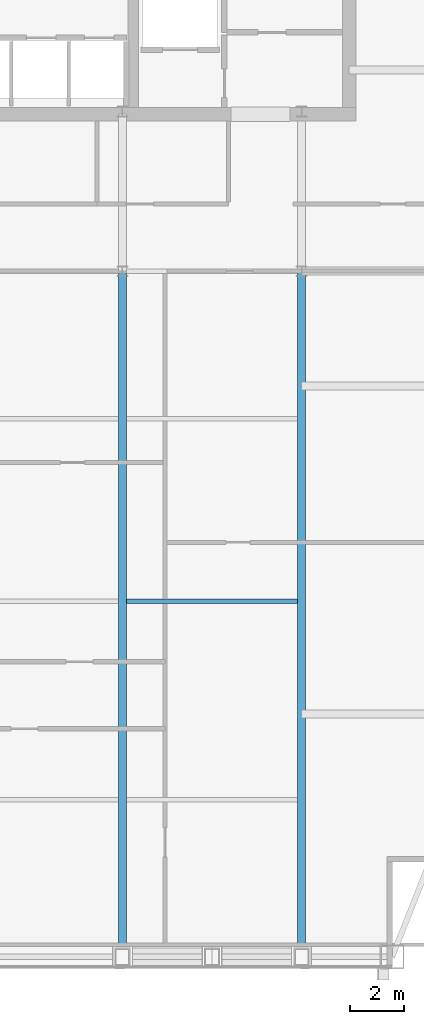
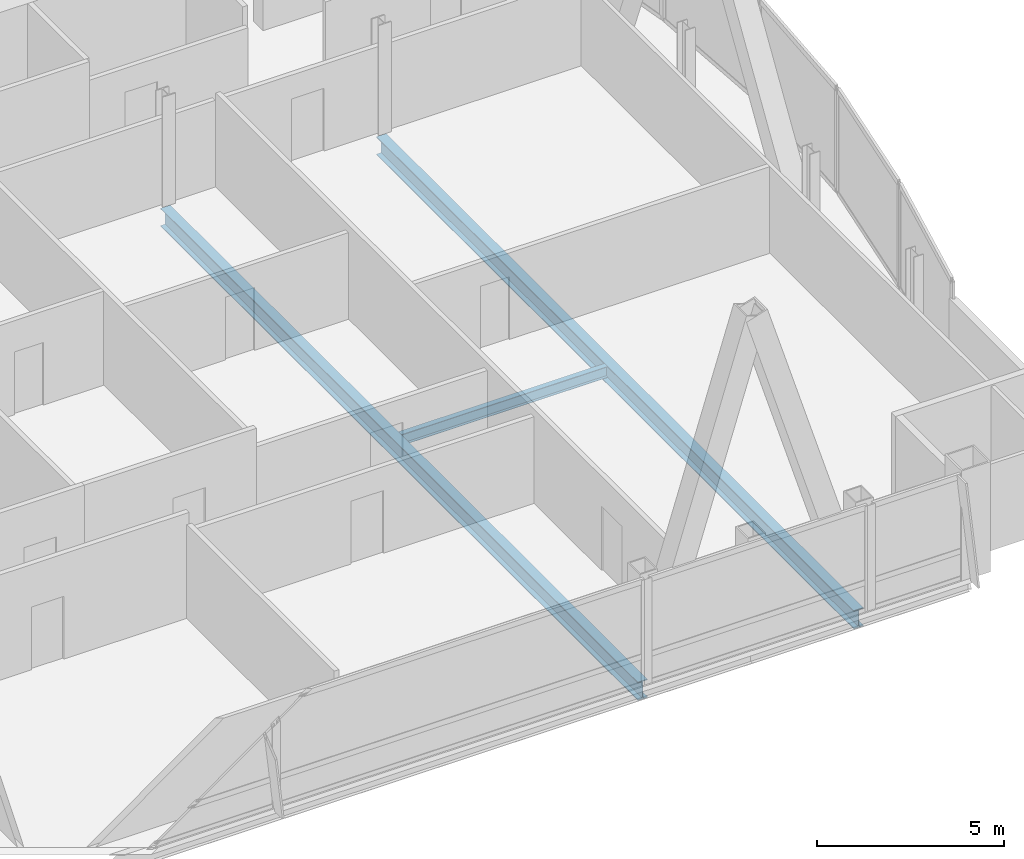
# One storey, part 16 of 31: 3 beams.
"""IFC4 building model written with IfcOpenShell, lengths in metres."""

from ifc_helpers import new_model, si_unit, direction, frame, origin, origin_2d, place, context, subcontext, project, spatial, i_section, extrude, material, material_profile, profile_set, type_object, element, save


model = new_model("IFC4")

# Units and contexts
model_context = context("Model", 3, precision=1e-05, world=origin(), true_north=direction((0.0, 1.0)))
body_context = subcontext(model_context, "Body", "Model", "MODEL_VIEW")
ifc_project = project(units=[si_unit("LENGTHUNIT", "METRE"), si_unit("AREAUNIT", "SQUARE_METRE"), si_unit("VOLUMEUNIT", "CUBIC_METRE"), si_unit("PLANEANGLEUNIT", "RADIAN"), si_unit("MASSUNIT", "GRAM", prefix="KILO")], contexts=[model_context])

# Site, building, storey
site_placement = place(None, origin())
site = spatial("IfcSite", under=ifc_project, at=site_placement, CompositionType="ELEMENT")
building_placement = place(site_placement, origin())
building = spatial("IfcBuilding", under=site, at=building_placement, Name="Khoronbel Lancet Exchange", CompositionType="ELEMENT")
storey_placement = place(building_placement, frame((0.0, 0.0, 325.39990234375)))
storey = spatial("IfcBuildingStorey", under=building, at=storey_placement, Name="L84", CompositionType="ELEMENT", Elevation=325.39990234375)

# Beams
ifc_material = material(Name="Steel S355", Category="steel")
ifc_material_profile_1 = material_profile(ifc_material, i_section(OverallWidth=0.300048828125, OverallDepth=0.60009765625, WebThickness=0.015380859375, FlangeThickness=0.030029296875, at=origin_2d()), Name="HEB 600")
ifc_profile_set_1 = profile_set([ifc_material_profile_1], Name="Steel S355")
beam_type_1 = type_object("IfcBeamType", Name="BM-BG5", PredefinedType="BEAM", material=ifc_profile_set_1)
for number, where, z_axis, x_axis, name in (
    (1, (48.0, 10.14990234375, -0.4599609375), (0.0, 1.0, 0.0), (-1.0, 0.0, 0.0), "Level L84 south primary girder GS5"),
    (2, (54.675048828125, 10.14990234375, -0.4599609375), (0.0, 1.0, 0.0), (-1.0, 0.0, 0.0), "Level L84 south primary girder GS6"),
):
    element("IfcBeam", number, at=place(storey_placement, frame(where, z_axis=z_axis, x_axis=x_axis)), inside=storey, type_object=beam_type_1, Name=name, PredefinedType="BEAM", context=body_context, shape_type="SweptSolid", body=[
        extrude(i_section(OverallWidth=0.300048828125, OverallDepth=0.60009765625, WebThickness=0.015380859375, FlangeThickness=0.030029296875, at=origin_2d()), origin(), (0.0, 0.0, 1.0), 25.550048828125),
    ])
ifc_material_profile_2 = material_profile(ifc_material, i_section(OverallWidth=0.169921875, OverallDepth=0.360107421875, WebThickness=0.008056640625, FlangeThickness=0.0126953125, at=origin_2d()), Name="IPE 360")
ifc_profile_set_2 = profile_set([ifc_material_profile_2], Name="Steel S355")
beam_type_2 = type_object("IfcBeamType", Name="BM-BJ6", PredefinedType="JOIST", material=ifc_profile_set_2)
beam_placement = place(storey_placement, frame((48.14990234375, 23.39990234375, -0.33984375), z_axis=(1.0, 0.0, 0.0), x_axis=(0.0, 1.0, 0.0)))
element("IfcBeam", 3, at=beam_placement, inside=storey, type_object=beam_type_2, Name="Level L84 secondary composite joist J06", PredefinedType="JOIST", context=body_context, shape_type="SweptSolid", body=[
    extrude(i_section(OverallWidth=0.169921875, OverallDepth=0.360107421875, WebThickness=0.008056640625, FlangeThickness=0.0126953125, at=origin_2d()), origin(), (0.0, 0.0, 1.0), 6.375),
])

save(model, "model.ifc")
